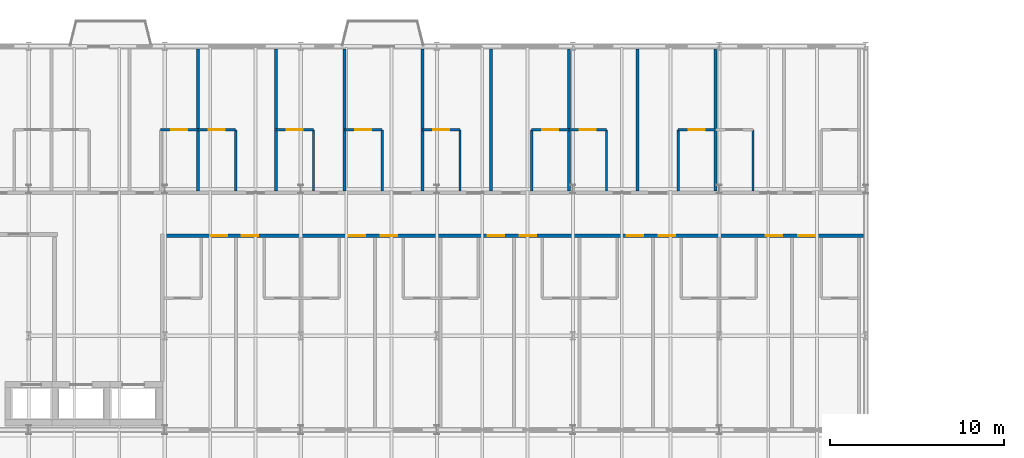
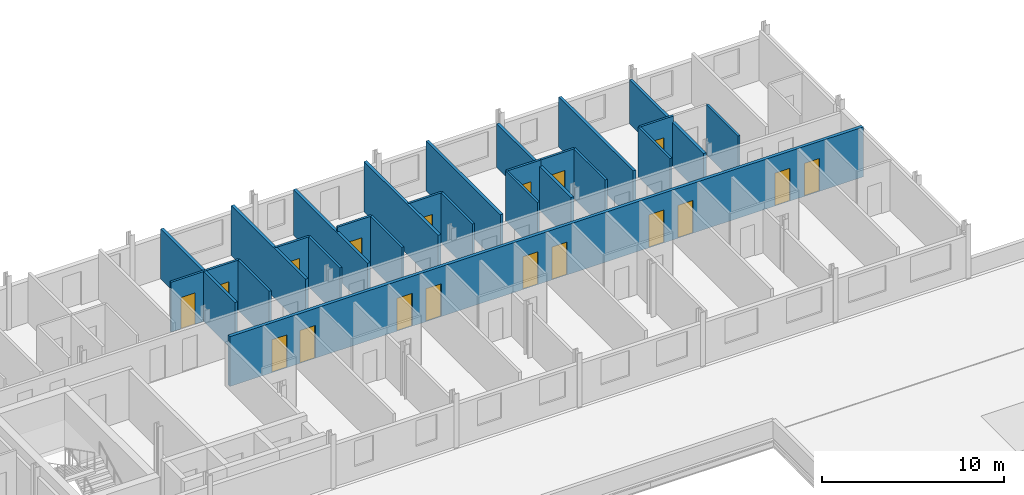
# One storey, part 30 of 36: 25 walls, 18 doors, 18 openings.
"""IFC4 building model written with IfcOpenShell, lengths in metres."""

from ifc_helpers import new_model, si_unit, direction, frame, frame_2d, origin, place, context, subcontext, project, spatial, rectangle, extrude, material, layer, layer_set, type_object, element, fill, save


model = new_model("IFC4")

# Units and contexts
model_context = context("Model", 3, precision=1e-05, world=origin(), true_north=direction((0.0, 1.0)))
body_context = subcontext(model_context, "Body", "Model", "MODEL_VIEW")
ifc_project = project(units=[si_unit("LENGTHUNIT", "METRE"), si_unit("AREAUNIT", "SQUARE_METRE"), si_unit("VOLUMEUNIT", "CUBIC_METRE"), si_unit("PLANEANGLEUNIT", "RADIAN"), si_unit("MASSUNIT", "GRAM", prefix="KILO")], contexts=[model_context])

# Site, building, storey
site_placement = place(None, origin())
site = spatial("IfcSite", under=ifc_project, at=site_placement, CompositionType="ELEMENT")
building_placement = place(site_placement, origin())
building = spatial("IfcBuilding", under=site, at=building_placement, Name="Sefraquen Railside Congress Hotel", CompositionType="ELEMENT")
storey_placement = place(building_placement, frame((0.0, 0.0, 24.60009765625)))
storey = spatial("IfcBuildingStorey", under=building, at=storey_placement, Name="L05", CompositionType="ELEMENT", Elevation=24.60009765625)

# Wall, opening, door
ifc_material_1 = material(Name="Moisture-resistant gypsum board", Category="gypsum")
ifc_layer_1 = layer(ifc_material_1, 0.139892578125)
ifc_layer_set_1 = layer_set([ifc_layer_1], Name="Moisture-resistant gypsum board")
wall_type_1 = type_object("IfcWallType", Name="TW-PW-140", PredefinedType="PARTITIONING", material=ifc_layer_set_1)
wall_1_placement = place(storey_placement, frame((79.56005859375, 113.199951171875, 0.0), z_axis=(0.0, 0.0, 1.0), x_axis=(1.0, 0.0, 0.0)))
wall_1 = element("IfcWall", 1, at=wall_1_placement, inside=storey, type_object=wall_type_1, Name="En-suite bathroom north wall RM-014", PredefinedType="PARTITIONING", context=body_context, shape_type="SweptSolid", body=[
    extrude(rectangle(XDim=2.14990234375, YDim=0.139892578125, at=frame_2d((1.074951171875, 0.0))), origin(), (0.0, 0.0, 1.0), 3.33984375),
])
opening_1_placement = place(wall_1_placement, frame((0.625, 0.0, 0.0)))
opening_1 = element("IfcOpeningElement", 2, at=opening_1_placement, cuts=wall_1, Name="Opening ID-02", PredefinedType="OPENING", context=body_context, shape_type="SweptSolid", body=[
    extrude(rectangle(XDim=0.89990234375, YDim=2.10009765625, at=frame_2d((0.449951171875, 1.050048828125))), frame((0.0, 0.079833984375, 0.0), z_axis=(0.0, -1.0, 0.0), x_axis=(1.0, 0.0, 0.0)), (0.0, 0.0, 1.0), 0.159912109375),
])
ifc_material_2 = material(Name="Lacquered cedar joinery", Category="wood")
door_type_1 = type_object("IfcDoorType", Name="TD-ID-02", OperationType="NOTDEFINED", PredefinedType="DOOR", material=ifc_material_2)
door_1_placement = place(opening_1_placement, origin())
door_1 = element("IfcDoor", 3, at=door_1_placement, inside=storey, type_object=door_type_1, Name="En-suite bathroom door RM-014", OperationType="SINGLE_SWING_LEFT", OverallHeight=2.10009765625, OverallWidth=0.89990234375, PredefinedType="DOOR", context=body_context, shape_type="SweptSolid", body=[
    extrude(rectangle(XDim=0.89990234375, YDim=2.10009765625, at=frame_2d((0.449951171875, 1.050048828125))), frame((0.0, 0.02490234375, 0.0), z_axis=(0.0, -1.0, 0.0), x_axis=(1.0, 0.0, 0.0)), (0.0, 0.0, 1.0), 0.050048828125),
])
fill(opening_1, door_1)

# Wall
wall_2_placement = place(storey_placement, frame((83.860107421875, 109.699951171875, 0.0), z_axis=(0.0, 0.0, 1.0), x_axis=(0.0, 1.0, 0.0)))
element("IfcWall", 4, at=wall_2_placement, inside=storey, type_object=wall_type_1, Name="En-suite bathroom east wall RM-015", PredefinedType="PARTITIONING", context=body_context, shape_type="SweptSolid", body=[
    extrude(rectangle(XDim=3.5, YDim=0.139892578125, at=frame_2d((1.75, 0.0))), origin(), (0.0, 0.0, 1.0), 3.33984375),
])

# Wall, opening, door
wall_3_placement = place(storey_placement, frame((81.7099609375, 113.199951171875, 0.0), z_axis=(0.0, 0.0, 1.0), x_axis=(1.0, 0.0, 0.0)))
wall_3 = element("IfcWall", 5, at=wall_3_placement, inside=storey, type_object=wall_type_1, Name="En-suite bathroom north wall RM-015", PredefinedType="PARTITIONING", context=body_context, shape_type="SweptSolid", body=[
    extrude(rectangle(XDim=2.150146484375, YDim=0.139892578125, at=frame_2d((1.0751953125, 0.0))), origin(), (0.0, 0.0, 1.0), 3.33984375),
])
opening_2_placement = place(wall_3_placement, frame((0.625, 0.0, 0.0)))
opening_2 = element("IfcOpeningElement", 6, at=opening_2_placement, cuts=wall_3, Name="Opening ID-02", PredefinedType="OPENING", context=body_context, shape_type="SweptSolid", body=[
    extrude(rectangle(XDim=0.89990234375, YDim=2.10009765625, at=frame_2d((0.449951171875, 1.050048828125))), frame((0.0, 0.079833984375, 0.0), z_axis=(0.0, -1.0, 0.0), x_axis=(1.0, 0.0, 0.0)), (0.0, 0.0, 1.0), 0.159912109375),
])
door_2_placement = place(opening_2_placement, origin())
door_2 = element("IfcDoor", 7, at=door_2_placement, inside=storey, type_object=door_type_1, Name="En-suite bathroom door RM-015", OperationType="SINGLE_SWING_LEFT", OverallHeight=2.10009765625, OverallWidth=0.89990234375, PredefinedType="DOOR", context=body_context, shape_type="SweptSolid", body=[
    extrude(rectangle(XDim=0.89990234375, YDim=2.10009765625, at=frame_2d((0.449951171875, 1.050048828125))), frame((0.0, 0.02490234375, 0.0), z_axis=(0.0, -1.0, 0.0), x_axis=(1.0, 0.0, 0.0)), (0.0, 0.0, 1.0), 0.050048828125),
])
fill(opening_2, door_2)

# Wall
wall_4_placement = place(storey_placement, frame((88.330078125, 109.699951171875, 0.0), z_axis=(0.0, 0.0, 1.0), x_axis=(0.0, 1.0, 0.0)))
element("IfcWall", 8, at=wall_4_placement, inside=storey, type_object=wall_type_1, Name="En-suite bathroom east wall RM-016", PredefinedType="PARTITIONING", context=body_context, shape_type="SweptSolid", body=[
    extrude(rectangle(XDim=3.5, YDim=0.139892578125, at=frame_2d((1.75, 0.0))), origin(), (0.0, 0.0, 1.0), 3.33984375),
])

# Wall, opening, door
wall_5_placement = place(storey_placement, frame((86.179931640625, 113.199951171875, 0.0), z_axis=(0.0, 0.0, 1.0), x_axis=(1.0, 0.0, 0.0)))
wall_5 = element("IfcWall", 9, at=wall_5_placement, inside=storey, type_object=wall_type_1, Name="En-suite bathroom north wall RM-016", PredefinedType="PARTITIONING", context=body_context, shape_type="SweptSolid", body=[
    extrude(rectangle(XDim=2.150146484375, YDim=0.139892578125, at=frame_2d((1.0751953125, 0.0))), origin(), (0.0, 0.0, 1.0), 3.33984375),
])
opening_3_placement = place(wall_5_placement, frame((0.625, 0.0, 0.0)))
opening_3 = element("IfcOpeningElement", 10, at=opening_3_placement, cuts=wall_5, Name="Opening ID-02", PredefinedType="OPENING", context=body_context, shape_type="SweptSolid", body=[
    extrude(rectangle(XDim=0.89990234375, YDim=2.10009765625, at=frame_2d((0.449951171875, 1.050048828125))), frame((0.0, 0.079833984375, 0.0), z_axis=(0.0, -1.0, 0.0), x_axis=(1.0, 0.0, 0.0)), (0.0, 0.0, 1.0), 0.159912109375),
])
door_3_placement = place(opening_3_placement, origin())
door_3 = element("IfcDoor", 11, at=door_3_placement, inside=storey, type_object=door_type_1, Name="En-suite bathroom door RM-016", OperationType="SINGLE_SWING_LEFT", OverallHeight=2.10009765625, OverallWidth=0.89990234375, PredefinedType="DOOR", context=body_context, shape_type="SweptSolid", body=[
    extrude(rectangle(XDim=0.89990234375, YDim=2.10009765625, at=frame_2d((0.449951171875, 1.050048828125))), frame((0.0, 0.02490234375, 0.0), z_axis=(0.0, -1.0, 0.0), x_axis=(1.0, 0.0, 0.0)), (0.0, 0.0, 1.0), 0.050048828125),
])
fill(opening_3, door_3)

# Wall
wall_6_placement = place(storey_placement, frame((92.260009765625, 109.699951171875, 0.0), z_axis=(0.0, 0.0, 1.0), x_axis=(0.0, 1.0, 0.0)))
element("IfcWall", 12, at=wall_6_placement, inside=storey, type_object=wall_type_1, Name="En-suite bathroom east wall RM-017", PredefinedType="PARTITIONING", context=body_context, shape_type="SweptSolid", body=[
    extrude(rectangle(XDim=3.5, YDim=0.139892578125, at=frame_2d((1.75, 0.0))), origin(), (0.0, 0.0, 1.0), 3.33984375),
])

# Wall, opening, door
wall_7_placement = place(storey_placement, frame((90.110107421875, 113.199951171875, 0.0), z_axis=(0.0, 0.0, 1.0), x_axis=(1.0, 0.0, 0.0)))
wall_7 = element("IfcWall", 13, at=wall_7_placement, inside=storey, type_object=wall_type_1, Name="En-suite bathroom north wall RM-017", PredefinedType="PARTITIONING", context=body_context, shape_type="SweptSolid", body=[
    extrude(rectangle(XDim=2.14990234375, YDim=0.139892578125, at=frame_2d((1.074951171875, 0.0))), origin(), (0.0, 0.0, 1.0), 3.33984375),
])
opening_4_placement = place(wall_7_placement, frame((0.625, 0.0, 0.0)))
opening_4 = element("IfcOpeningElement", 14, at=opening_4_placement, cuts=wall_7, Name="Opening ID-02", PredefinedType="OPENING", context=body_context, shape_type="SweptSolid", body=[
    extrude(rectangle(XDim=0.89990234375, YDim=2.10009765625, at=frame_2d((0.449951171875, 1.050048828125))), frame((0.0, 0.079833984375, 0.0), z_axis=(0.0, -1.0, 0.0), x_axis=(1.0, 0.0, 0.0)), (0.0, 0.0, 1.0), 0.159912109375),
])
door_4_placement = place(opening_4_placement, origin())
door_4 = element("IfcDoor", 15, at=door_4_placement, inside=storey, type_object=door_type_1, Name="En-suite bathroom door RM-017", OperationType="SINGLE_SWING_LEFT", OverallHeight=2.10009765625, OverallWidth=0.89990234375, PredefinedType="DOOR", context=body_context, shape_type="SweptSolid", body=[
    extrude(rectangle(XDim=0.89990234375, YDim=2.10009765625, at=frame_2d((0.449951171875, 1.050048828125))), frame((0.0, 0.02490234375, 0.0), z_axis=(0.0, -1.0, 0.0), x_axis=(1.0, 0.0, 0.0)), (0.0, 0.0, 1.0), 0.050048828125),
])
fill(opening_4, door_4)

# Wall
wall_8_placement = place(storey_placement, frame((96.72998046875, 109.699951171875, 0.0), z_axis=(0.0, 0.0, 1.0), x_axis=(0.0, 1.0, 0.0)))
element("IfcWall", 16, at=wall_8_placement, inside=storey, type_object=wall_type_1, Name="En-suite bathroom east wall RM-018", PredefinedType="PARTITIONING", context=body_context, shape_type="SweptSolid", body=[
    extrude(rectangle(XDim=3.5, YDim=0.139892578125, at=frame_2d((1.75, 0.0))), origin(), (0.0, 0.0, 1.0), 3.33984375),
])

# Wall, opening, door
wall_9_placement = place(storey_placement, frame((94.580078125, 113.199951171875, 0.0), z_axis=(0.0, 0.0, 1.0), x_axis=(1.0, 0.0, 0.0)))
wall_9 = element("IfcWall", 17, at=wall_9_placement, inside=storey, type_object=wall_type_1, Name="En-suite bathroom north wall RM-018", PredefinedType="PARTITIONING", context=body_context, shape_type="SweptSolid", body=[
    extrude(rectangle(XDim=2.14990234375, YDim=0.139892578125, at=frame_2d((1.074951171875, 0.0))), origin(), (0.0, 0.0, 1.0), 3.33984375),
])
opening_5_placement = place(wall_9_placement, frame((0.625, 0.0, 0.0)))
opening_5 = element("IfcOpeningElement", 18, at=opening_5_placement, cuts=wall_9, Name="Opening ID-02", PredefinedType="OPENING", context=body_context, shape_type="SweptSolid", body=[
    extrude(rectangle(XDim=0.89990234375, YDim=2.10009765625, at=frame_2d((0.449951171875, 1.050048828125))), frame((0.0, 0.079833984375, 0.0), z_axis=(0.0, -1.0, 0.0), x_axis=(1.0, 0.0, 0.0)), (0.0, 0.0, 1.0), 0.159912109375),
])
door_5_placement = place(opening_5_placement, origin())
door_5 = element("IfcDoor", 19, at=door_5_placement, inside=storey, type_object=door_type_1, Name="En-suite bathroom door RM-018", OperationType="SINGLE_SWING_LEFT", OverallHeight=2.10009765625, OverallWidth=0.89990234375, PredefinedType="DOOR", context=body_context, shape_type="SweptSolid", body=[
    extrude(rectangle(XDim=0.89990234375, YDim=2.10009765625, at=frame_2d((0.449951171875, 1.050048828125))), frame((0.0, 0.02490234375, 0.0), z_axis=(0.0, -1.0, 0.0), x_axis=(1.0, 0.0, 0.0)), (0.0, 0.0, 1.0), 0.050048828125),
])
fill(opening_5, door_5)

# Wall
wall_10_placement = place(storey_placement, frame((100.830078125, 109.699951171875, 0.0), z_axis=(0.0, 0.0, 1.0), x_axis=(0.0, 1.0, 0.0)))
element("IfcWall", 20, at=wall_10_placement, inside=storey, type_object=wall_type_1, Name="En-suite bathroom west wall RM-019", PredefinedType="PARTITIONING", context=body_context, shape_type="SweptSolid", body=[
    extrude(rectangle(XDim=3.5, YDim=0.139892578125, at=frame_2d((1.75, 0.0))), origin(), (0.0, 0.0, 1.0), 3.33984375),
])

# Wall, opening, door
wall_11_placement = place(storey_placement, frame((100.830078125, 113.199951171875, 0.0), z_axis=(0.0, 0.0, 1.0), x_axis=(1.0, 0.0, 0.0)))
wall_11 = element("IfcWall", 21, at=wall_11_placement, inside=storey, type_object=wall_type_1, Name="En-suite bathroom north wall RM-019", PredefinedType="PARTITIONING", context=body_context, shape_type="SweptSolid", body=[
    extrude(rectangle(XDim=2.14990234375, YDim=0.139892578125, at=frame_2d((1.074951171875, 0.0))), origin(), (0.0, 0.0, 1.0), 3.33984375),
])
opening_6_placement = place(wall_11_placement, frame((0.625, 0.0, 0.0)))
opening_6 = element("IfcOpeningElement", 22, at=opening_6_placement, cuts=wall_11, Name="Opening ID-02", PredefinedType="OPENING", context=body_context, shape_type="SweptSolid", body=[
    extrude(rectangle(XDim=0.89990234375, YDim=2.10009765625, at=frame_2d((0.449951171875, 1.050048828125))), frame((0.0, 0.079833984375, 0.0), z_axis=(0.0, -1.0, 0.0), x_axis=(1.0, 0.0, 0.0)), (0.0, 0.0, 1.0), 0.159912109375),
])
door_6_placement = place(opening_6_placement, origin())
door_6 = element("IfcDoor", 23, at=door_6_placement, inside=storey, type_object=door_type_1, Name="En-suite bathroom door RM-019", OperationType="SINGLE_SWING_LEFT", OverallHeight=2.10009765625, OverallWidth=0.89990234375, PredefinedType="DOOR", context=body_context, shape_type="SweptSolid", body=[
    extrude(rectangle(XDim=0.89990234375, YDim=2.10009765625, at=frame_2d((0.449951171875, 1.050048828125))), frame((0.0, 0.02490234375, 0.0), z_axis=(0.0, -1.0, 0.0), x_axis=(1.0, 0.0, 0.0)), (0.0, 0.0, 1.0), 0.050048828125),
])
fill(opening_6, door_6)

# Wall
wall_12_placement = place(storey_placement, frame((105.1298828125, 109.699951171875, 0.0), z_axis=(0.0, 0.0, 1.0), x_axis=(0.0, 1.0, 0.0)))
element("IfcWall", 24, at=wall_12_placement, inside=storey, type_object=wall_type_1, Name="En-suite bathroom east wall RM-020", PredefinedType="PARTITIONING", context=body_context, shape_type="SweptSolid", body=[
    extrude(rectangle(XDim=3.5, YDim=0.139892578125, at=frame_2d((1.75, 0.0))), origin(), (0.0, 0.0, 1.0), 3.33984375),
])

# Wall, opening, door
wall_13_placement = place(storey_placement, frame((102.97998046875, 113.199951171875, 0.0), z_axis=(0.0, 0.0, 1.0), x_axis=(1.0, 0.0, 0.0)))
wall_13 = element("IfcWall", 25, at=wall_13_placement, inside=storey, type_object=wall_type_1, Name="En-suite bathroom north wall RM-020", PredefinedType="PARTITIONING", context=body_context, shape_type="SweptSolid", body=[
    extrude(rectangle(XDim=2.14990234375, YDim=0.139892578125, at=frame_2d((1.074951171875, 0.0))), origin(), (0.0, 0.0, 1.0), 3.33984375),
])
opening_7_placement = place(wall_13_placement, frame((0.625, 0.0, 0.0)))
opening_7 = element("IfcOpeningElement", 26, at=opening_7_placement, cuts=wall_13, Name="Opening ID-02", PredefinedType="OPENING", context=body_context, shape_type="SweptSolid", body=[
    extrude(rectangle(XDim=0.89990234375, YDim=2.10009765625, at=frame_2d((0.449951171875, 1.050048828125))), frame((0.0, 0.079833984375, 0.0), z_axis=(0.0, -1.0, 0.0), x_axis=(1.0, 0.0, 0.0)), (0.0, 0.0, 1.0), 0.159912109375),
])
door_7_placement = place(opening_7_placement, origin())
door_7 = element("IfcDoor", 27, at=door_7_placement, inside=storey, type_object=door_type_1, Name="En-suite bathroom door RM-020", OperationType="SINGLE_SWING_LEFT", OverallHeight=2.10009765625, OverallWidth=0.89990234375, PredefinedType="DOOR", context=body_context, shape_type="SweptSolid", body=[
    extrude(rectangle(XDim=0.89990234375, YDim=2.10009765625, at=frame_2d((0.449951171875, 1.050048828125))), frame((0.0, 0.02490234375, 0.0), z_axis=(0.0, -1.0, 0.0), x_axis=(1.0, 0.0, 0.0)), (0.0, 0.0, 1.0), 0.050048828125),
])
fill(opening_7, door_7)

# Wall
wall_14_placement = place(storey_placement, frame((109.22998046875, 109.699951171875, 0.0), z_axis=(0.0, 0.0, 1.0), x_axis=(0.0, 1.0, 0.0)))
element("IfcWall", 28, at=wall_14_placement, inside=storey, type_object=wall_type_1, Name="En-suite bathroom west wall RM-021", PredefinedType="PARTITIONING", context=body_context, shape_type="SweptSolid", body=[
    extrude(rectangle(XDim=3.5, YDim=0.139892578125, at=frame_2d((1.75, 0.0))), origin(), (0.0, 0.0, 1.0), 3.33984375),
])

# Wall, opening, door
wall_15_placement = place(storey_placement, frame((109.22998046875, 113.199951171875, 0.0), z_axis=(0.0, 0.0, 1.0), x_axis=(1.0, 0.0, 0.0)))
wall_15 = element("IfcWall", 29, at=wall_15_placement, inside=storey, type_object=wall_type_1, Name="En-suite bathroom north wall RM-021", PredefinedType="PARTITIONING", context=body_context, shape_type="SweptSolid", body=[
    extrude(rectangle(XDim=2.14990234375, YDim=0.139892578125, at=frame_2d((1.074951171875, 0.0))), origin(), (0.0, 0.0, 1.0), 3.33984375),
])
opening_8_placement = place(wall_15_placement, frame((0.625, 0.0, 0.0)))
opening_8 = element("IfcOpeningElement", 30, at=opening_8_placement, cuts=wall_15, Name="Opening ID-02", PredefinedType="OPENING", context=body_context, shape_type="SweptSolid", body=[
    extrude(rectangle(XDim=0.89990234375, YDim=2.10009765625, at=frame_2d((0.449951171875, 1.050048828125))), frame((0.0, 0.079833984375, 0.0), z_axis=(0.0, -1.0, 0.0), x_axis=(1.0, 0.0, 0.0)), (0.0, 0.0, 1.0), 0.159912109375),
])
door_8_placement = place(opening_8_placement, origin())
door_8 = element("IfcDoor", 31, at=door_8_placement, inside=storey, type_object=door_type_1, Name="En-suite bathroom door RM-021", OperationType="SINGLE_SWING_LEFT", OverallHeight=2.10009765625, OverallWidth=0.89990234375, PredefinedType="DOOR", context=body_context, shape_type="SweptSolid", body=[
    extrude(rectangle(XDim=0.89990234375, YDim=2.10009765625, at=frame_2d((0.449951171875, 1.050048828125))), frame((0.0, 0.02490234375, 0.0), z_axis=(0.0, -1.0, 0.0), x_axis=(1.0, 0.0, 0.0)), (0.0, 0.0, 1.0), 0.050048828125),
])
fill(opening_8, door_8)

# Walls
wall_16_placement = place(storey_placement, frame((113.530029296875, 109.699951171875, 0.0), z_axis=(0.0, 0.0, 1.0), x_axis=(0.0, 1.0, 0.0)))
element("IfcWall", 32, at=wall_16_placement, inside=storey, type_object=wall_type_1, Name="En-suite bathroom east wall RM-022", PredefinedType="PARTITIONING", context=body_context, shape_type="SweptSolid", body=[
    extrude(rectangle(XDim=3.5, YDim=0.139892578125, at=frame_2d((1.75, 0.0))), origin(), (0.0, 0.0, 1.0), 3.33984375),
])
ifc_material_3 = material(Name="Acoustic gypsum board on metal stud", Category="gypsum")
ifc_layer_2 = layer(ifc_material_3, 0.179931640625)
ifc_layer_set_2 = layer_set([ifc_layer_2], Name="Acoustic gypsum board on metal stud")
wall_type_2 = type_object("IfcWallType", Name="TW-PW-180", PredefinedType="PARTITIONING", material=ifc_layer_set_2)
for number, where, z_axis, x_axis, name in (
    (33, (81.7099609375, 109.699951171875, 0.0), (0.0, 0.0, 1.0), (0.0, 1.0, 0.0), "Guest room demising wall RM-014"),
    (34, (86.179931640625, 109.699951171875, 0.0), (0.0, 0.0, 1.0), (0.0, 1.0, 0.0), "Guest room demising wall RM-015"),
):
    element("IfcWall", number, at=place(storey_placement, frame(where, z_axis=z_axis, x_axis=x_axis)), inside=storey, type_object=wall_type_2, Name=name, PredefinedType="PARTITIONING", context=body_context, shape_type="SweptSolid", body=[
        extrude(rectangle(XDim=8.150146484375, YDim=0.179931640625, at=frame_2d((4.0751953125, 0.0))), origin(), (0.0, 0.0, 1.0), 3.33984375),
    ])
wall_17_placement = place(storey_placement, frame((90.110107421875, 109.699951171875, 0.0), z_axis=(0.0, 0.0, 1.0), x_axis=(0.0, 1.0, 0.0)))
element("IfcWall", 35, at=wall_17_placement, inside=storey, type_object=wall_type_2, Name="Guest room demising wall RM-016", PredefinedType="PARTITIONING", context=body_context, shape_type="SweptSolid", body=[
    extrude(rectangle(XDim=8.150146484375, YDim=0.179931640625, at=frame_2d((4.0751953125, 0.0))), origin(), (0.0, 0.0, 1.0), 3.02978515625),
])
for number, where, z_axis, x_axis, name in (
    (36, (94.580078125, 109.699951171875, 0.0), (0.0, 0.0, 1.0), (0.0, 1.0, 0.0), "Guest room demising wall RM-017"),
    (37, (98.510009765625, 109.699951171875, 0.0), (0.0, 0.0, 1.0), (0.0, 1.0, 0.0), "Guest room demising wall RM-018"),
):
    element("IfcWall", number, at=place(storey_placement, frame(where, z_axis=z_axis, x_axis=x_axis)), inside=storey, type_object=wall_type_2, Name=name, PredefinedType="PARTITIONING", context=body_context, shape_type="SweptSolid", body=[
        extrude(rectangle(XDim=8.150146484375, YDim=0.179931640625, at=frame_2d((4.0751953125, 0.0))), origin(), (0.0, 0.0, 1.0), 3.33984375),
    ])
wall_18_placement = place(storey_placement, frame((102.97998046875, 109.699951171875, 0.0), z_axis=(0.0, 0.0, 1.0), x_axis=(0.0, 1.0, 0.0)))
element("IfcWall", 38, at=wall_18_placement, inside=storey, type_object=wall_type_2, Name="Guest room demising wall RM-019", PredefinedType="PARTITIONING", context=body_context, shape_type="SweptSolid", body=[
    extrude(rectangle(XDim=8.150146484375, YDim=0.179931640625, at=frame_2d((4.0751953125, 0.0))), origin(), (0.0, 0.0, 1.0), 2.929931640625),
])
wall_19_placement = place(storey_placement, frame((106.909912109375, 109.699951171875, 0.0), z_axis=(0.0, 0.0, 1.0), x_axis=(0.0, 1.0, 0.0)))
element("IfcWall", 39, at=wall_19_placement, inside=storey, type_object=wall_type_2, Name="Guest room demising wall RM-020", PredefinedType="PARTITIONING", context=body_context, shape_type="SweptSolid", body=[
    extrude(rectangle(XDim=8.150146484375, YDim=0.179931640625, at=frame_2d((4.0751953125, 0.0))), origin(), (0.0, 0.0, 1.0), 3.33984375),
])
wall_20_placement = place(storey_placement, frame((111.3798828125, 109.699951171875, 0.0), z_axis=(0.0, 0.0, 1.0), x_axis=(0.0, 1.0, 0.0)))
element("IfcWall", 40, at=wall_20_placement, inside=storey, type_object=wall_type_2, Name="Guest room demising wall RM-021", PredefinedType="PARTITIONING", context=body_context, shape_type="SweptSolid", body=[
    extrude(rectangle(XDim=8.150146484375, YDim=0.179931640625, at=frame_2d((4.0751953125, 0.0))), origin(), (0.0, 0.0, 1.0), 2.929931640625),
])

# Wall, openings, doors
ifc_layer_3 = layer(ifc_material_3, 0.199951171875)
ifc_layer_set_3 = layer_set([ifc_layer_3], Name="Acoustic gypsum board on metal stud")
wall_type_3 = type_object("IfcWallType", Name="TW-PW-200", PredefinedType="PARTITIONING", material=ifc_layer_set_3)
wall_21_placement = place(storey_placement, frame((79.760009765625, 107.1201171875, 0.0), z_axis=(0.0, 0.0, 1.0), x_axis=(1.0, 0.0, 0.0)))
wall_21 = element("IfcWall", 41, at=wall_21_placement, inside=storey, type_object=wall_type_3, Name="Hotel L05 south-east corridor fire-rated partition", PredefinedType="PARTITIONING", context=body_context, shape_type="SweptSolid", body=[
    extrude(rectangle(XDim=40.10009765625, YDim=0.199951171875, at=frame_2d((20.050048828125, 0.0))), origin(), (0.0, 0.0, 1.0), 3.33984375),
])
opening_9_placement = place(wall_21_placement, frame((2.64990234375, 0.0, 0.0)))
opening_9 = element("IfcOpeningElement", 42, at=opening_9_placement, cuts=wall_21, Name="Opening GD-02", PredefinedType="OPENING", context=body_context, shape_type="SweptSolid", body=[
    extrude(rectangle(XDim=0.9599609375, YDim=2.199951171875, at=frame_2d((0.47998046875, 1.10009765625))), frame((0.0, 0.10986328125, 0.0), z_axis=(0.0, -1.0, 0.0), x_axis=(1.0, 0.0, 0.0)), (0.0, 0.0, 1.0), 0.219970703125),
])
opening_10_placement = place(wall_21_placement, frame((4.447998046875, 0.0, 0.0)))
opening_10 = element("IfcOpeningElement", 43, at=opening_10_placement, cuts=wall_21, Name="Opening GD-02", PredefinedType="OPENING", context=body_context, shape_type="SweptSolid", body=[
    extrude(rectangle(XDim=0.9599609375, YDim=2.199951171875, at=frame_2d((0.47998046875, 1.10009765625))), frame((0.0, 0.10986328125, 0.0), z_axis=(0.0, -1.0, 0.0), x_axis=(1.0, 0.0, 0.0)), (0.0, 0.0, 1.0), 0.219970703125),
])
opening_11_placement = place(wall_21_placement, frame((10.5830078125, 0.0, 0.0)))
opening_11 = element("IfcOpeningElement", 44, at=opening_11_placement, cuts=wall_21, Name="Opening GD-02", PredefinedType="OPENING", context=body_context, shape_type="SweptSolid", body=[
    extrude(rectangle(XDim=0.9599609375, YDim=2.199951171875, at=frame_2d((0.47998046875, 1.10009765625))), frame((0.0, 0.10986328125, 0.0), z_axis=(0.0, -1.0, 0.0), x_axis=(1.0, 0.0, 0.0)), (0.0, 0.0, 1.0), 0.219970703125),
])
opening_12_placement = place(wall_21_placement, frame((12.41796875, 0.0, 0.0)))
opening_12 = element("IfcOpeningElement", 45, at=opening_12_placement, cuts=wall_21, Name="Opening GD-02", PredefinedType="OPENING", context=body_context, shape_type="SweptSolid", body=[
    extrude(rectangle(XDim=0.9599609375, YDim=2.199951171875, at=frame_2d((0.47998046875, 1.10009765625))), frame((0.0, 0.10986328125, 0.0), z_axis=(0.0, -1.0, 0.0), x_axis=(1.0, 0.0, 0.0)), (0.0, 0.0, 1.0), 0.219970703125),
])
opening_13_placement = place(wall_21_placement, frame((18.552978515625, 0.0, 0.0)))
opening_13 = element("IfcOpeningElement", 46, at=opening_13_placement, cuts=wall_21, Name="Opening GD-02", PredefinedType="OPENING", context=body_context, shape_type="SweptSolid", body=[
    extrude(rectangle(XDim=0.9599609375, YDim=2.199951171875, at=frame_2d((0.47998046875, 1.10009765625))), frame((0.0, 0.10986328125, 0.0), z_axis=(0.0, -1.0, 0.0), x_axis=(1.0, 0.0, 0.0)), (0.0, 0.0, 1.0), 0.219970703125),
])
opening_14_placement = place(wall_21_placement, frame((20.387939453125, 0.0, 0.0)))
opening_14 = element("IfcOpeningElement", 47, at=opening_14_placement, cuts=wall_21, Name="Opening GD-02", PredefinedType="OPENING", context=body_context, shape_type="SweptSolid", body=[
    extrude(rectangle(XDim=0.9599609375, YDim=2.199951171875, at=frame_2d((0.47998046875, 1.10009765625))), frame((0.0, 0.10986328125, 0.0), z_axis=(0.0, -1.0, 0.0), x_axis=(1.0, 0.0, 0.0)), (0.0, 0.0, 1.0), 0.219970703125),
])
opening_15_placement = place(wall_21_placement, frame((26.52294921875, 0.0, 0.0)))
opening_15 = element("IfcOpeningElement", 48, at=opening_15_placement, cuts=wall_21, Name="Opening GD-02", PredefinedType="OPENING", context=body_context, shape_type="SweptSolid", body=[
    extrude(rectangle(XDim=0.9599609375, YDim=2.199951171875, at=frame_2d((0.47998046875, 1.10009765625))), frame((0.0, 0.10986328125, 0.0), z_axis=(0.0, -1.0, 0.0), x_axis=(1.0, 0.0, 0.0)), (0.0, 0.0, 1.0), 0.219970703125),
])
opening_16_placement = place(wall_21_placement, frame((28.35791015625, 0.0, 0.0)))
opening_16 = element("IfcOpeningElement", 49, at=opening_16_placement, cuts=wall_21, Name="Opening GD-02", PredefinedType="OPENING", context=body_context, shape_type="SweptSolid", body=[
    extrude(rectangle(XDim=0.9599609375, YDim=2.199951171875, at=frame_2d((0.47998046875, 1.10009765625))), frame((0.0, 0.10986328125, 0.0), z_axis=(0.0, -1.0, 0.0), x_axis=(1.0, 0.0, 0.0)), (0.0, 0.0, 1.0), 0.219970703125),
])
opening_17_placement = place(wall_21_placement, frame((34.492919921875, 0.0, 0.0)))
opening_17 = element("IfcOpeningElement", 50, at=opening_17_placement, cuts=wall_21, Name="Opening GD-02", PredefinedType="OPENING", context=body_context, shape_type="SweptSolid", body=[
    extrude(rectangle(XDim=0.9599609375, YDim=2.199951171875, at=frame_2d((0.47998046875, 1.10009765625))), frame((0.0, 0.10986328125, 0.0), z_axis=(0.0, -1.0, 0.0), x_axis=(1.0, 0.0, 0.0)), (0.0, 0.0, 1.0), 0.219970703125),
])
opening_18_placement = place(wall_21_placement, frame((36.364013671875, 0.0, 0.0)))
opening_18 = element("IfcOpeningElement", 51, at=opening_18_placement, cuts=wall_21, Name="Opening GD-02", PredefinedType="OPENING", context=body_context, shape_type="SweptSolid", body=[
    extrude(rectangle(XDim=0.9599609375, YDim=2.199951171875, at=frame_2d((0.47998046875, 1.10009765625))), frame((0.0, 0.10986328125, 0.0), z_axis=(0.0, -1.0, 0.0), x_axis=(1.0, 0.0, 0.0)), (0.0, 0.0, 1.0), 0.219970703125),
])
ifc_material_4 = material(Name="Solid Atlas cedar timber fire leaf", Category="wood")
door_type_2 = type_object("IfcDoorType", Name="TD-GD-02", OperationType="NOTDEFINED", PredefinedType="DOOR", material=ifc_material_4)
door_9_placement = place(opening_9_placement, frame((0.9599609375, 0.0, 0.0), z_axis=(0.0, 0.0, 1.0), x_axis=(-1.0, 0.0, 0.0)))
door_9 = element("IfcDoor", 52, at=door_9_placement, inside=storey, type_object=door_type_2, Name="Guest room entrance fire door RM-030", OperationType="SINGLE_SWING_RIGHT", OverallHeight=2.199951171875, OverallWidth=0.9599609375, PredefinedType="DOOR", context=body_context, shape_type="SweptSolid", body=[
    extrude(rectangle(XDim=0.9599609375, YDim=2.199951171875, at=frame_2d((0.47998046875, 1.10009765625))), frame((0.0, 0.02490234375, 0.0), z_axis=(0.0, -1.0, 0.0), x_axis=(1.0, 0.0, 0.0)), (0.0, 0.0, 1.0), 0.050048828125),
])
fill(opening_9, door_9)
door_10_placement = place(opening_10_placement, frame((0.9599609375, 0.0, 0.0), z_axis=(0.0, 0.0, 1.0), x_axis=(-1.0, 0.0, 0.0)))
door_10 = element("IfcDoor", 53, at=door_10_placement, inside=storey, type_object=door_type_2, Name="Guest room entrance fire door RM-031", OperationType="SINGLE_SWING_RIGHT", OverallHeight=2.199951171875, OverallWidth=0.9599609375, PredefinedType="DOOR", context=body_context, shape_type="SweptSolid", body=[
    extrude(rectangle(XDim=0.9599609375, YDim=2.199951171875, at=frame_2d((0.47998046875, 1.10009765625))), frame((0.0, 0.02490234375, 0.0), z_axis=(0.0, -1.0, 0.0), x_axis=(1.0, 0.0, 0.0)), (0.0, 0.0, 1.0), 0.050048828125),
])
fill(opening_10, door_10)
door_11_placement = place(opening_11_placement, frame((0.9599609375, 0.0, 0.0), z_axis=(0.0, 0.0, 1.0), x_axis=(-1.0, 0.0, 0.0)))
door_11 = element("IfcDoor", 54, at=door_11_placement, inside=storey, type_object=door_type_2, Name="Guest room entrance fire door RM-032", OperationType="SINGLE_SWING_RIGHT", OverallHeight=2.199951171875, OverallWidth=0.9599609375, PredefinedType="DOOR", context=body_context, shape_type="SweptSolid", body=[
    extrude(rectangle(XDim=0.9599609375, YDim=2.199951171875, at=frame_2d((0.47998046875, 1.10009765625))), frame((0.0, 0.02490234375, 0.0), z_axis=(0.0, -1.0, 0.0), x_axis=(1.0, 0.0, 0.0)), (0.0, 0.0, 1.0), 0.050048828125),
])
fill(opening_11, door_11)
door_12_placement = place(opening_12_placement, frame((0.9599609375, 0.0, 0.0), z_axis=(0.0, 0.0, 1.0), x_axis=(-1.0, 0.0, 0.0)))
door_12 = element("IfcDoor", 55, at=door_12_placement, inside=storey, type_object=door_type_2, Name="Guest room entrance fire door RM-033", OperationType="SINGLE_SWING_RIGHT", OverallHeight=2.199951171875, OverallWidth=0.9599609375, PredefinedType="DOOR", context=body_context, shape_type="SweptSolid", body=[
    extrude(rectangle(XDim=0.9599609375, YDim=2.199951171875, at=frame_2d((0.47998046875, 1.10009765625))), frame((0.0, 0.02490234375, 0.0), z_axis=(0.0, -1.0, 0.0), x_axis=(1.0, 0.0, 0.0)), (0.0, 0.0, 1.0), 0.050048828125),
])
fill(opening_12, door_12)
door_13_placement = place(opening_13_placement, frame((0.9599609375, 0.0, 0.0), z_axis=(0.0, 0.0, 1.0), x_axis=(-1.0, 0.0, 0.0)))
door_13 = element("IfcDoor", 56, at=door_13_placement, inside=storey, type_object=door_type_2, Name="Guest room entrance fire door RM-034", OperationType="SINGLE_SWING_RIGHT", OverallHeight=2.199951171875, OverallWidth=0.9599609375, PredefinedType="DOOR", context=body_context, shape_type="SweptSolid", body=[
    extrude(rectangle(XDim=0.9599609375, YDim=2.199951171875, at=frame_2d((0.47998046875, 1.10009765625))), frame((0.0, 0.02490234375, 0.0), z_axis=(0.0, -1.0, 0.0), x_axis=(1.0, 0.0, 0.0)), (0.0, 0.0, 1.0), 0.050048828125),
])
fill(opening_13, door_13)
door_14_placement = place(opening_14_placement, frame((0.9599609375, 0.0, 0.0), z_axis=(0.0, 0.0, 1.0), x_axis=(-1.0, 0.0, 0.0)))
door_14 = element("IfcDoor", 57, at=door_14_placement, inside=storey, type_object=door_type_2, Name="Guest room entrance fire door RM-035", OperationType="SINGLE_SWING_RIGHT", OverallHeight=2.199951171875, OverallWidth=0.9599609375, PredefinedType="DOOR", context=body_context, shape_type="SweptSolid", body=[
    extrude(rectangle(XDim=0.9599609375, YDim=2.199951171875, at=frame_2d((0.47998046875, 1.10009765625))), frame((0.0, 0.02490234375, 0.0), z_axis=(0.0, -1.0, 0.0), x_axis=(1.0, 0.0, 0.0)), (0.0, 0.0, 1.0), 0.050048828125),
])
fill(opening_14, door_14)
door_15_placement = place(opening_15_placement, frame((0.9599609375, 0.0, 0.0), z_axis=(0.0, 0.0, 1.0), x_axis=(-1.0, 0.0, 0.0)))
door_15 = element("IfcDoor", 58, at=door_15_placement, inside=storey, type_object=door_type_2, Name="Guest room entrance fire door RM-036", OperationType="SINGLE_SWING_RIGHT", OverallHeight=2.199951171875, OverallWidth=0.9599609375, PredefinedType="DOOR", context=body_context, shape_type="SweptSolid", body=[
    extrude(rectangle(XDim=0.9599609375, YDim=2.199951171875, at=frame_2d((0.47998046875, 1.10009765625))), frame((0.0, 0.02490234375, 0.0), z_axis=(0.0, -1.0, 0.0), x_axis=(1.0, 0.0, 0.0)), (0.0, 0.0, 1.0), 0.050048828125),
])
fill(opening_15, door_15)
door_16_placement = place(opening_16_placement, frame((0.9599609375, 0.0, 0.0), z_axis=(0.0, 0.0, 1.0), x_axis=(-1.0, 0.0, 0.0)))
door_16 = element("IfcDoor", 59, at=door_16_placement, inside=storey, type_object=door_type_2, Name="Guest room entrance fire door RM-037", OperationType="SINGLE_SWING_RIGHT", OverallHeight=2.199951171875, OverallWidth=0.9599609375, PredefinedType="DOOR", context=body_context, shape_type="SweptSolid", body=[
    extrude(rectangle(XDim=0.9599609375, YDim=2.199951171875, at=frame_2d((0.47998046875, 1.10009765625))), frame((0.0, 0.02490234375, 0.0), z_axis=(0.0, -1.0, 0.0), x_axis=(1.0, 0.0, 0.0)), (0.0, 0.0, 1.0), 0.050048828125),
])
fill(opening_16, door_16)
door_17_placement = place(opening_17_placement, frame((0.9599609375, 0.0, 0.0), z_axis=(0.0, 0.0, 1.0), x_axis=(-1.0, 0.0, 0.0)))
door_17 = element("IfcDoor", 60, at=door_17_placement, inside=storey, type_object=door_type_2, Name="Guest room entrance fire door RM-038", OperationType="SINGLE_SWING_RIGHT", OverallHeight=2.199951171875, OverallWidth=0.9599609375, PredefinedType="DOOR", context=body_context, shape_type="SweptSolid", body=[
    extrude(rectangle(XDim=0.9599609375, YDim=2.199951171875, at=frame_2d((0.47998046875, 1.10009765625))), frame((0.0, 0.02490234375, 0.0), z_axis=(0.0, -1.0, 0.0), x_axis=(1.0, 0.0, 0.0)), (0.0, 0.0, 1.0), 0.050048828125),
])
fill(opening_17, door_17)
door_18_placement = place(opening_18_placement, frame((0.9599609375, 0.0, 0.0), z_axis=(0.0, 0.0, 1.0), x_axis=(-1.0, 0.0, 0.0)))
door_18 = element("IfcDoor", 61, at=door_18_placement, inside=storey, type_object=door_type_2, Name="Guest room entrance fire door RM-039", OperationType="SINGLE_SWING_RIGHT", OverallHeight=2.199951171875, OverallWidth=0.9599609375, PredefinedType="DOOR", context=body_context, shape_type="SweptSolid", body=[
    extrude(rectangle(XDim=0.9599609375, YDim=2.199951171875, at=frame_2d((0.47998046875, 1.10009765625))), frame((0.0, 0.02490234375, 0.0), z_axis=(0.0, -1.0, 0.0), x_axis=(1.0, 0.0, 0.0)), (0.0, 0.0, 1.0), 0.050048828125),
])
fill(opening_18, door_18)

save(model, "model.ifc")
